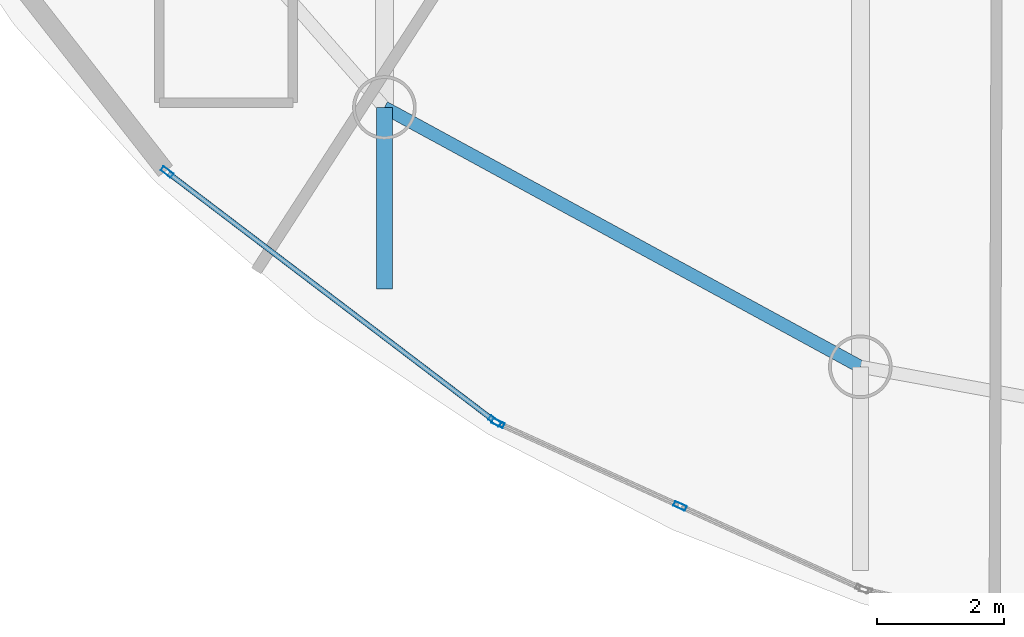
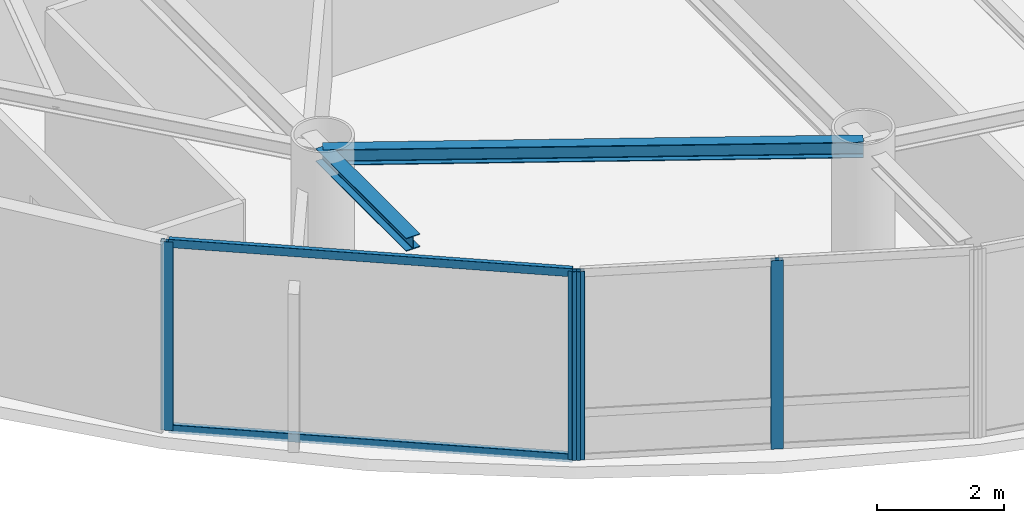
# One storey, part 2 of 19: 6 members, 2 beams, 2 elements without a shape of their own.
"""IFC4 building model written with IfcOpenShell, lengths in metres."""

from ifc_helpers import new_model, si_unit, direction, frame, origin, origin_2d, place, context, subcontext, project, spatial, hollow_rectangle, i_section, extrude, material, layer, layer_set, material_profile, profile_set, type_object, element, aggregate, save


model = new_model("IFC4")

# Units and contexts
model_context = context("Model", 3, precision=1e-05, world=origin(), true_north=direction((0.0, 1.0)))
body_context = subcontext(model_context, "Body", "Model", "MODEL_VIEW")
ifc_project = project(units=[si_unit("LENGTHUNIT", "METRE"), si_unit("AREAUNIT", "SQUARE_METRE"), si_unit("VOLUMEUNIT", "CUBIC_METRE"), si_unit("PLANEANGLEUNIT", "RADIAN"), si_unit("MASSUNIT", "GRAM", prefix="KILO")], contexts=[model_context])

# Site, building, storey
site_placement = place(None, origin())
site = spatial("IfcSite", under=ifc_project, at=site_placement, CompositionType="ELEMENT")
building_placement = place(site_placement, origin())
building = spatial("IfcBuilding", under=site, at=building_placement, Name="Bramvorn Convention Spire", CompositionType="ELEMENT")
storey_placement = place(building_placement, frame((0.0, 0.0, 272.85009765625)))
storey = spatial("IfcBuildingStorey", under=building, at=storey_placement, Name="L69", CompositionType="ELEMENT", Elevation=272.85009765625)

# Beams
ifc_material_1 = material(Name="Steel CSA G40.21 Grade 350 (350W)", Category="steel")
ifc_material_profile_1 = material_profile(ifc_material_1, i_section(OverallWidth=0.25390625, OverallDepth=0.2529296875, WebThickness=0.008544921875, FlangeThickness=0.01416015625, FilletRadius=0.011962890625, at=origin_2d()))
ifc_profile_set_1 = profile_set([ifc_material_profile_1], Name="Steel CSA G40.21 Grade 350 (350W) - W250X73")
beam_type_1 = type_object("IfcBeamType", Name="BM-W250X73", PredefinedType="BEAM", material=ifc_profile_set_1)
beam_1_placement = place(storey_placement, frame((28.337646484375, 10.523193359375, 3.498291015625), z_axis=(0.0, -1.0, 0.0), x_axis=(1.0, 0.0, 0.0)))
element("IfcBeam", 1, at=beam_1_placement, inside=storey, type_object=beam_type_1, Name="L69 slab-edge cantilever tip beam MC14", PredefinedType="BEAM", context=body_context, shape_type="SweptSolid", body=[
    extrude(i_section(OverallWidth=0.25390625, OverallDepth=0.2529296875, WebThickness=0.008544921875, FlangeThickness=0.01416015625, FilletRadius=0.011962890625, at=origin_2d()), origin(), (0.0, 0.0, 1.0), 2.8486328125),
])
ifc_material_profile_2 = material_profile(ifc_material_1, i_section(OverallWidth=0.202880859375, OverallDepth=0.302978515625, WebThickness=0.007568359375, FlangeThickness=0.01318359375, FilletRadius=0.013916015625, at=origin_2d()))
ifc_profile_set_2 = profile_set([ifc_material_profile_2], Name="Steel CSA G40.21 Grade 350 (350W) - W310X60")
beam_type_2 = type_object("IfcBeamType", Name="BM-W310X60", PredefinedType="JOIST", material=ifc_profile_set_2)
beam_2_placement = place(storey_placement, frame((28.337646484375, 10.523193359375, 3.473388671875), z_axis=(0.878133224771, -0.478416178189, 0.0), x_axis=(0.478416178189, 0.878133224771, 0.0)))
element("IfcBeam", 2, at=beam_2_placement, inside=storey, type_object=beam_type_2, Name="L69 mega-column ring beam 14", PredefinedType="JOIST", context=body_context, shape_type="SweptSolid", body=[
    extrude(i_section(OverallWidth=0.202880859375, OverallDepth=0.302978515625, WebThickness=0.007568359375, FlangeThickness=0.01318359375, FilletRadius=0.013916015625, at=origin_2d()), origin(), (0.0, 0.0, 1.0), 8.515625),
])

# Curtain wall, members
ifc_material_2 = material(Name="Anodised Bronze Unitised Curtain Wall", Category="aluminium")
ifc_layer = layer(ifc_material_2, 0.179931640625)
ifc_layer_set = layer_set([ifc_layer], Name="Anodised Bronze Unitised Curtain Wall - CW-OFF-FRIT")
curtain_wall_type = type_object("IfcCurtainWallType", Name="CW-OFF-FRIT", PredefinedType="USERDEFINED", material=ifc_layer_set)
curtain_wall_1_placement = place(storey_placement, origin())
curtain_wall_1 = element("IfcCurtainWall", 3, at=curtain_wall_1_placement, inside=storey, type_object=curtain_wall_type, Name="L69 fritted glass curtain wall 20", ObjectType="UNITISED CURTAIN WALL", PredefinedType="USERDEFINED")
ifc_material_3 = material(Name="Anodised Bronze Aluminium 6063-T6", Category="aluminium")
ifc_material_profile_3 = material_profile(ifc_material_3, hollow_rectangle(XDim=0.080078125, YDim=0.199951171875, WallThickness=0.00390625, InnerFilletRadius=0.0009765625, OuterFilletRadius=0.00390625, at=origin_2d()))
ifc_profile_set_3 = profile_set([ifc_material_profile_3], Name="Anodised Bronze Aluminium 6063-T6 - CWM80X200")
member_type_1 = type_object("IfcMemberType", Name="CW-MUL-180", PredefinedType="MULLION", material=ifc_profile_set_3)
member_1_placement = place(storey_placement, frame((30.070068359375, 5.59423828125, 0.0), z_axis=(0.0, 0.0, 1.0), x_axis=(-0.605197095992, -0.796075671656, 0.0)))
member_1 = element("IfcMember", 4, at=member_1_placement, type_object=member_type_1, Name="CW3 mullion 1", PredefinedType="MULLION", context=body_context, shape_type="SweptSolid", body=[
    extrude(hollow_rectangle(XDim=0.080078125, YDim=0.199951171875, WallThickness=0.00390625, InnerFilletRadius=0.0009765625, OuterFilletRadius=0.00390625, at=origin_2d()), origin(), (0.0, 0.0, 1.0), 3.625),
])
member_2_placement = place(storey_placement, frame((24.922607421875, 9.50732421875, 0.0), z_axis=(0.0, 0.0, 1.0), x_axis=(-0.605197095992, -0.796075671656, 0.0)))
member_2 = element("IfcMember", 5, at=member_2_placement, type_object=member_type_1, Name="CW3 mullion 2", PredefinedType="MULLION", context=body_context, shape_type="SweptSolid", body=[
    extrude(hollow_rectangle(XDim=0.080078125, YDim=0.199951171875, WallThickness=0.00390625, InnerFilletRadius=0.0009765625, OuterFilletRadius=0.00390625, at=origin_2d()), origin(), (0.0, 0.0, 1.0), 3.625),
])

curtain_wall_2_placement = place(storey_placement, origin())
curtain_wall_2 = element("IfcCurtainWall", 6, at=curtain_wall_2_placement, inside=storey, type_object=curtain_wall_type, Name="L69 fritted glass curtain wall 21", ObjectType="UNITISED CURTAIN WALL", PredefinedType="USERDEFINED")
member_3_placement = place(storey_placement, frame((32.981689453125, 4.26171875, 0.0), z_axis=(0.0, 0.0, 1.0), x_axis=(-0.414229167696, -0.910172619139, 0.0)))
member_3 = element("IfcMember", 7, at=member_3_placement, type_object=member_type_1, Name="CW3 mullion 2", PredefinedType="MULLION", context=body_context, shape_type="SweptSolid", body=[
    extrude(hollow_rectangle(XDim=0.080078125, YDim=0.199951171875, WallThickness=0.00390625, InnerFilletRadius=0.0009765625, OuterFilletRadius=0.00390625, at=origin_2d()), origin(), (0.0, 0.0, 1.0), 3.625),
])
member_4_placement = place(storey_placement, frame((30.121337890625, 5.5634765625, 0.0), z_axis=(0.0, 0.0, 1.0), x_axis=(-0.414229167696, -0.910172619139, 0.0)))
member_4 = element("IfcMember", 8, at=member_4_placement, type_object=member_type_1, Name="CW3 mullion 3", PredefinedType="MULLION", context=body_context, shape_type="SweptSolid", body=[
    extrude(hollow_rectangle(XDim=0.080078125, YDim=0.199951171875, WallThickness=0.00390625, InnerFilletRadius=0.0009765625, OuterFilletRadius=0.00390625, at=origin_2d()), origin(), (0.0, 0.0, 1.0), 3.625),
])
aggregate(curtain_wall_2, [member_3, member_4])

# Member
ifc_material_profile_4 = material_profile(ifc_material_3, hollow_rectangle(XDim=0.080078125, YDim=0.159912109375, WallThickness=0.00390625, InnerFilletRadius=0.0009765625, OuterFilletRadius=0.00390625, at=origin_2d()))
ifc_profile_set_4 = profile_set([ifc_material_profile_4], Name="Anodised Bronze Aluminium 6063-T6 - CWT80X160")
member_type_2 = type_object("IfcMemberType", Name="CW-TRN-150", PredefinedType="USERDEFINED", material=ifc_profile_set_4)
member_5_placement = place(storey_placement, frame((30.046142578125, 5.6123046875, 0.02978515625), z_axis=(-0.796068181873, 0.605206947919, 0.0), x_axis=(-0.605206947919, -0.796068181873, 0.0)))
member_5 = element("IfcMember", 9, at=member_5_placement, type_object=member_type_2, Name="CW3 transom 1.1", ObjectType="TRANSOM", PredefinedType="USERDEFINED", context=body_context, shape_type="SweptSolid", body=[
    extrude(hollow_rectangle(XDim=0.080078125, YDim=0.159912109375, WallThickness=0.00390625, InnerFilletRadius=0.0009765625, OuterFilletRadius=0.00390625, at=origin_2d()), origin(), (0.0, 0.0, 1.0), 6.406005859375),
])

member_6_placement = place(storey_placement, frame((30.046142578125, 5.6123046875, 3.594970703125), z_axis=(-0.796068181873, 0.605206947919, 0.0), x_axis=(-0.605206947919, -0.796068181873, 0.0)))
member_6 = element("IfcMember", 10, at=member_6_placement, type_object=member_type_2, Name="CW3 transom 1.2", ObjectType="TRANSOM", PredefinedType="USERDEFINED", context=body_context, shape_type="SweptSolid", body=[
    extrude(hollow_rectangle(XDim=0.080078125, YDim=0.159912109375, WallThickness=0.00390625, InnerFilletRadius=0.0009765625, OuterFilletRadius=0.00390625, at=origin_2d()), origin(), (0.0, 0.0, 1.0), 6.406005859375),
])

aggregate(curtain_wall_1, [member_1, member_2, member_5, member_6])

save(model, "model.ifc")
